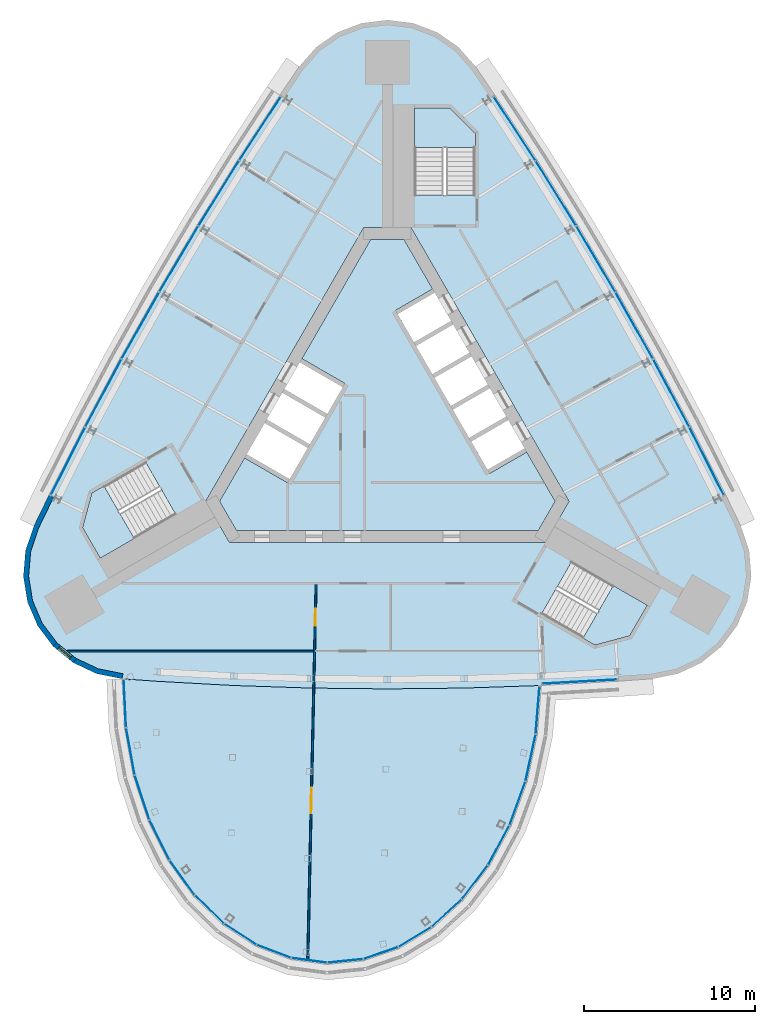
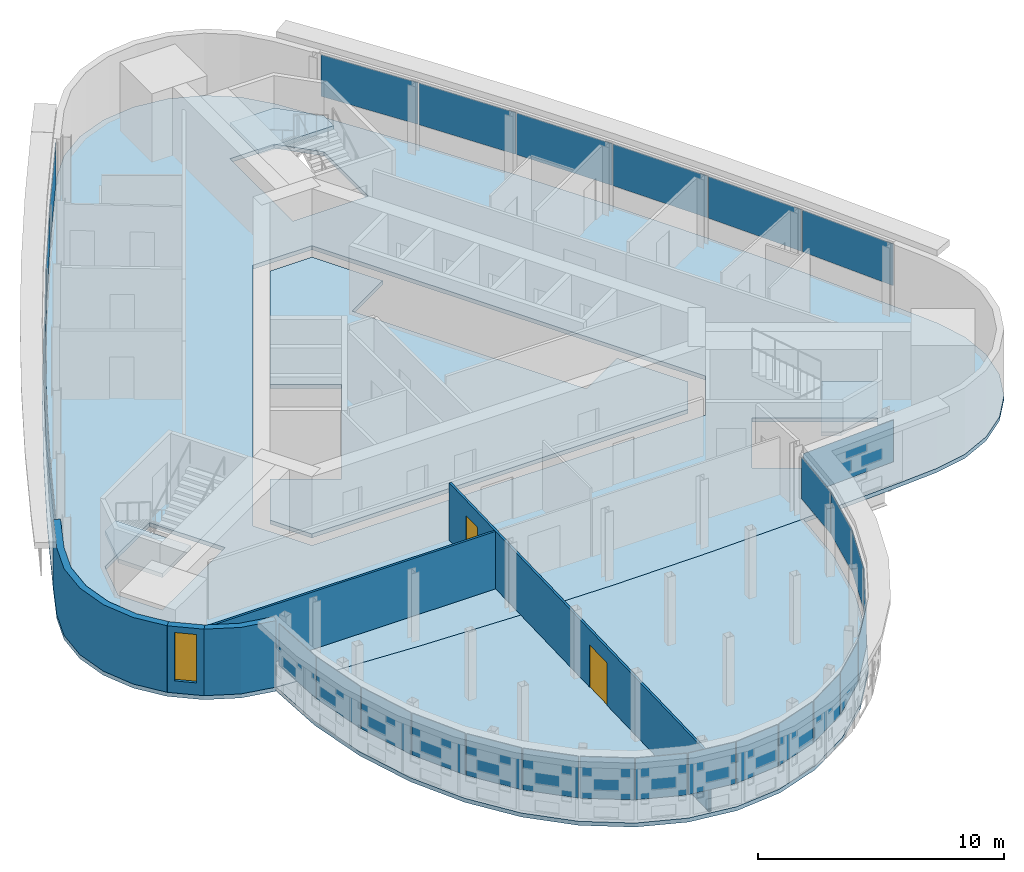
# One storey, part 8 of 14: 31 plates, 6 slabs, 5 walls, 2 doors, 1 window, 3 openings, 7 elements without a shape of their own.
"""IFC4 building model written with IfcOpenShell, lengths in metres."""

from ifc_helpers import new_model, si_unit, direction, frame, frame_2d, origin, origin_2d, place, context, subcontext, project, spatial, polyline, rectangle, outline, extrude, material, layer, layer_set, type_object, element, fill, aggregate, save


model = new_model("IFC4")

# Units and contexts
model_context = context("Model", 3, precision=1e-05, world=origin(), true_north=direction((0.0, 1.0)))
body_context = subcontext(model_context, "Body", "Model", "MODEL_VIEW")
ifc_project = project(units=[si_unit("LENGTHUNIT", "METRE"), si_unit("AREAUNIT", "SQUARE_METRE"), si_unit("VOLUMEUNIT", "CUBIC_METRE"), si_unit("PLANEANGLEUNIT", "RADIAN"), si_unit("MASSUNIT", "GRAM", prefix="KILO")], contexts=[model_context])

# Site, building, storey
site_placement = place(None, origin())
site = spatial("IfcSite", under=ifc_project, at=site_placement, CompositionType="ELEMENT")
building_placement = place(site_placement, origin())
building = spatial("IfcBuilding", under=site, at=building_placement, Name="Noor Cloister Tower", CompositionType="ELEMENT")
storey_placement = place(building_placement, frame((0.0, 0.0, 214.800048828125)))
storey = spatial("IfcBuildingStorey", under=building, at=storey_placement, Name="L55", CompositionType="ELEMENT", Elevation=214.800048828125)

# Slabs
ifc_material_1 = material(Name="Concrete C40/50", Category="concrete")
ifc_layer_1 = layer(ifc_material_1, 0.199951171875)
ifc_layer_set_1 = layer_set([ifc_layer_1], Name="Core floor slab 200 C40/50")
slab_type_1 = type_object("IfcSlabType", Name="Core floor slab 200 C40/50", PredefinedType="FLOOR", material=ifc_layer_set_1)
slab_1_placement = place(storey_placement, frame((0.0, 0.0, -0.199951171875)))
element("IfcSlab", 1, at=slab_1_placement, inside=storey, type_object=slab_type_1, Name="Core floor L55", PredefinedType="FLOOR", context=body_context, shape_type="SweptSolid", body=[
    extrude(outline(polyline([(2.643798828125, 7.877197265625), (0.9814453125, 10.75634765625), (-0.9814453125, 10.75634765625), (-4.993896484375, 3.806884765625), (-2.482421875, 2.35693359375), (-5.832275390625, -3.4453125), (-8.34375, -1.995361328125), (-9.80615234375, -4.5283203125), (-8.82470703125, -6.228271484375), (8.82470703125, -6.228271484375), (9.80615234375, -4.5283203125), (8.143798828125, -1.64892578125), (5.978759765625, -2.89892578125), (0.478759765625, 6.627197265625), (2.643798828125, 7.877197265625)])), origin(), (0.0, 0.0, 1.0), 0.199951171875),
])
ifc_material_2 = material(Name="Concrete C40/50", Category="concrete")
ifc_layer_2 = layer(ifc_material_2, 0.199951171875)
ifc_layer_set_2 = layer_set([ifc_layer_2], Name="Floor slab 200 C40/50")
slab_type_2 = type_object("IfcSlabType", Name="Floor slab 200 C40/50", PredefinedType="FLOOR", material=ifc_layer_set_2)
slab_2_placement = place(storey_placement, frame((0.0, 0.0, -0.199951171875)))
element("IfcSlab", 2, at=slab_2_placement, inside=storey, type_object=slab_type_2, Name="Floor slab L55", PredefinedType="FLOOR", context=body_context, shape_type="SweptSolid", body=[
    extrude(outline(polyline([(5.148681640625, 20.87890625), (4.1513671875, 22.012939453125), (2.91064453125, 22.874267578125), (1.499267578125, 23.412109375), (0.0, 23.5947265625), (-1.499267578125, 23.412109375), (-2.91064453125, 22.874267578125), (-4.1513671875, 22.012939453125), (-5.148681640625, 20.87890625), (-6.2822265625, 19.2041015625), (-8.744140625, 15.437255859375), (-11.122314453125, 11.6171875), (-13.415283203125, 7.745361328125), (-15.621826171875, 3.823486328125), (-17.7412109375, -0.14599609375), (-19.772216796875, -4.16162109375), (-20.65576171875, -5.98046875), (-21.139404296875, -7.411376953125), (-21.264892578125, -8.91650390625), (-21.02490234375, -10.40771484375), (-20.433837890625, -11.79736328125), (-19.52587890625, -13.00439453125), (-18.354248046875, -13.957763671875), (-16.988037109375, -14.6015625), (-15.50732421875, -14.898193359375), (-13.489990234375, -15.04248046875), (-8.9970703125, -15.291259765625), (-4.49951171875, -15.440673828125), (0.0, -15.490478515625), (4.49951171875, -15.440673828125), (8.9970703125, -15.291259765625), (13.489990234375, -15.04248046875), (15.50732421875, -14.898193359375), (16.988037109375, -14.6015625), (18.354248046875, -13.957763671875), (19.52587890625, -13.00439453125), (20.433837890625, -11.79736328125), (21.02490234375, -10.40771484375), (21.264892578125, -8.91650390625), (21.139404296875, -7.411376953125), (20.65576171875, -5.98046875), (19.772216796875, -4.16162109375), (17.7412109375, -0.14599609375), (15.621826171875, 3.823486328125), (13.415283203125, 7.745361328125), (11.122314453125, 11.6171875), (8.744140625, 15.437255859375), (6.2822265625, 19.2041015625), (5.148681640625, 20.87890625)]), holes=[polyline([(8.999755859375, -11.126220703125), (12.131591796875, -12.934326171875), (14.1572265625, -12.3916015625), (15.19091796875, -10.601318359375), (10.774658203125, -8.0517578125), (8.999755859375, -11.126220703125)]), polyline([(-17.81005859375, -6.064697265625), (-16.776611328125, -7.85498046875), (-12.3603515625, -5.305419921875), (-14.13525390625, -2.23095703125), (-16.662841796875, -3.690185546875), (-17.267333984375, -4.039306640625), (-17.81005859375, -6.064697265625)]), polyline([(-10.6142578125, -4.5283203125), (-9.228759765625, -6.92822265625), (9.228759765625, -6.92822265625), (10.6142578125, -4.5283203125), (1.3857421875, 11.456298828125), (-1.3857421875, 11.456298828125), (-10.6142578125, -4.5283203125)]), polyline([(3.65283203125, 18.456298828125), (1.585693359375, 18.456298828125), (1.585693359375, 13.35693359375), (5.135498046875, 13.35693359375), (5.135498046875, 16.9736328125), (3.65283203125, 18.456298828125)])]), origin(), (0.0, 0.0, 1.0), 0.199951171875),
])

# Curtain wall, plates
ifc_material_3 = material(Name="Aluminium 6063-T6 anodised", Category="aluminium")
curtain_wall_type_1 = type_object("IfcCurtainWallType", Name="Ribbon curtain wall, upper tower CW5", PredefinedType="NOTDEFINED", material=ifc_material_3)
curtain_wall_1_placement = place(storey_placement, origin())
curtain_wall_1 = element("IfcCurtainWall", 3, at=curtain_wall_1_placement, inside=storey, type_object=curtain_wall_type_1, Name="CW5 L55 NW run 1", PredefinedType="NOTDEFINED")
ifc_material_4 = material(Name="Clear laminated glass 2 x 8 mm", Category="glass")
ifc_layer_3 = layer(ifc_material_4, 0.028076171875)
ifc_layer_set_3 = layer_set([ifc_layer_3], Name="Glass panel CW5")
plate_type_1 = type_object("IfcPlateType", Name="Glass panel CW5", PredefinedType="CURTAIN_PANEL", material=ifc_layer_set_3)
plate_1_placement = place(storey_placement, frame((-7.438720703125, 17.251708984375, 1.08984375), z_axis=(0.0, 0.0, 1.0), x_axis=(-0.547130585813, -0.837047263939, 0.0)))
plate_1 = element("IfcPlate", 4, at=plate_1_placement, type_object=plate_type_1, Name="CW5 glass panel 1", PredefinedType="CURTAIN_PANEL", context=body_context, shape_type="SweptSolid", body=[
    extrude(rectangle(XDim=4.413818359375, YDim=0.028076171875, at=origin_2d()), origin(), (0.0, 0.0, 1.0), 2.070068359375),
])
plate_2_placement = place(storey_placement, frame((-9.848388671875, 13.474365234375, 1.08984375), z_axis=(0.0, 0.0, 1.0), x_axis=(-0.528471347381, -0.848951138168, 0.0)))
plate_2 = element("IfcPlate", 5, at=plate_2_placement, type_object=plate_type_1, Name="CW5 glass panel 2", PredefinedType="CURTAIN_PANEL", context=body_context, shape_type="SweptSolid", body=[
    extrude(rectangle(XDim=4.44775390625, YDim=0.028076171875, at=origin_2d()), origin(), (0.0, 0.0, 1.0), 2.070068359375),
])
plate_3_placement = place(storey_placement, frame((-12.1826171875, 9.630126953125, 1.08984375), z_axis=(0.0, 0.0, 1.0), x_axis=(-0.509553242025, -0.860439128319, 0.0)))
plate_3 = element("IfcPlate", 6, at=plate_3_placement, type_object=plate_type_1, Name="CW5 glass panel 3", PredefinedType="CURTAIN_PANEL", context=body_context, shape_type="SweptSolid", body=[
    extrude(rectangle(XDim=4.44775390625, YDim=0.028076171875, at=origin_2d()), origin(), (0.0, 0.0, 1.0), 2.070068359375),
])
plate_4_placement = place(storey_placement, frame((-14.431396484375, 5.7353515625, 1.08984375), z_axis=(0.0, 0.0, 1.0), x_axis=(-0.490385522521, -0.871505616334, 0.0)))
plate_4 = element("IfcPlate", 7, at=plate_4_placement, type_object=plate_type_1, Name="CW5 glass panel 4", PredefinedType="CURTAIN_PANEL", context=body_context, shape_type="SweptSolid", body=[
    extrude(rectangle(XDim=4.44775390625, YDim=0.028076171875, at=origin_2d()), origin(), (0.0, 0.0, 1.0), 2.070068359375),
])
plate_5_placement = place(storey_placement, frame((-16.59326171875, 1.791748046875, 1.08984375), z_axis=(0.0, 0.0, 1.0), x_axis=(-0.470977578535, -0.882145181088, 0.0)))
plate_5 = element("IfcPlate", 8, at=plate_5_placement, type_object=plate_type_1, Name="CW5 glass panel 5", PredefinedType="CURTAIN_PANEL", context=body_context, shape_type="SweptSolid", body=[
    extrude(rectangle(XDim=4.44775390625, YDim=0.028076171875, at=origin_2d()), origin(), (0.0, 0.0, 1.0), 2.070068359375),
])
plate_6_placement = place(storey_placement, frame((-18.659912109375, -2.183837890625, 1.08984375), z_axis=(0.0, 0.0, 1.0), x_axis=(-0.451338901833, -0.892352618471, 0.0)))
plate_6 = element("IfcPlate", 9, at=plate_6_placement, type_object=plate_type_1, Name="CW5 glass panel 6", PredefinedType="CURTAIN_PANEL", context=body_context, shape_type="SweptSolid", body=[
    extrude(rectangle(XDim=4.413818359375, YDim=0.028076171875, at=origin_2d()), origin(), (0.0, 0.0, 1.0), 2.070068359375),
])
aggregate(curtain_wall_1, [plate_1, plate_2, plate_3, plate_4, plate_5, plate_6])

# Curtain wall, plate
curtain_wall_2_placement = place(storey_placement, origin())
curtain_wall_2 = element("IfcCurtainWall", 10, at=curtain_wall_2_placement, inside=storey, type_object=curtain_wall_type_1, Name="CW5 L55 S run 3", PredefinedType="NOTDEFINED")
plate_7_placement = place(storey_placement, frame((11.238037109375, -15.067138671875, 1.08984375), z_axis=(0.0, 0.0, 1.0), x_axis=(0.998469487646, 0.055305354532, 0.0)))
plate_7 = element("IfcPlate", 11, at=plate_7_placement, type_object=plate_type_1, Name="CW5 glass panel 1", PredefinedType="CURTAIN_PANEL", context=body_context, shape_type="SweptSolid", body=[
    extrude(rectangle(XDim=4.3798828125, YDim=0.028076171875, at=origin_2d()), origin(), (0.0, 0.0, 1.0), 2.070068359375),
])
aggregate(curtain_wall_2, [plate_7])

# Curtain wall, plates
curtain_wall_3_placement = place(storey_placement, origin())
curtain_wall_3 = element("IfcCurtainWall", 12, at=curtain_wall_3_placement, inside=storey, type_object=curtain_wall_type_1, Name="CW5 L55 NE run 4", PredefinedType="NOTDEFINED")
plate_8_placement = place(storey_placement, frame((18.659912109375, -2.183837890625, 1.08984375), z_axis=(0.0, 0.0, 1.0), x_axis=(-0.451338901833, 0.892352618471, 0.0)))
plate_8 = element("IfcPlate", 13, at=plate_8_placement, type_object=plate_type_1, Name="CW5 glass panel 1", PredefinedType="CURTAIN_PANEL", context=body_context, shape_type="SweptSolid", body=[
    extrude(rectangle(XDim=4.413818359375, YDim=0.028076171875, at=origin_2d()), origin(), (0.0, 0.0, 1.0), 2.070068359375),
])
plate_9_placement = place(storey_placement, frame((16.59326171875, 1.791748046875, 1.08984375), z_axis=(0.0, 0.0, 1.0), x_axis=(-0.470977578535, 0.882145181088, 0.0)))
plate_9 = element("IfcPlate", 14, at=plate_9_placement, type_object=plate_type_1, Name="CW5 glass panel 2", PredefinedType="CURTAIN_PANEL", context=body_context, shape_type="SweptSolid", body=[
    extrude(rectangle(XDim=4.44775390625, YDim=0.028076171875, at=origin_2d()), origin(), (0.0, 0.0, 1.0), 2.070068359375),
])
plate_10_placement = place(storey_placement, frame((14.431396484375, 5.7353515625, 1.08984375), z_axis=(0.0, 0.0, 1.0), x_axis=(-0.490385522521, 0.871505616334, 0.0)))
plate_10 = element("IfcPlate", 15, at=plate_10_placement, type_object=plate_type_1, Name="CW5 glass panel 3", PredefinedType="CURTAIN_PANEL", context=body_context, shape_type="SweptSolid", body=[
    extrude(rectangle(XDim=4.44775390625, YDim=0.028076171875, at=origin_2d()), origin(), (0.0, 0.0, 1.0), 2.070068359375),
])
plate_11_placement = place(storey_placement, frame((12.1826171875, 9.630126953125, 1.08984375), z_axis=(0.0, 0.0, 1.0), x_axis=(-0.509553242025, 0.860439128319, 0.0)))
plate_11 = element("IfcPlate", 16, at=plate_11_placement, type_object=plate_type_1, Name="CW5 glass panel 4", PredefinedType="CURTAIN_PANEL", context=body_context, shape_type="SweptSolid", body=[
    extrude(rectangle(XDim=4.44775390625, YDim=0.028076171875, at=origin_2d()), origin(), (0.0, 0.0, 1.0), 2.070068359375),
])
plate_12_placement = place(storey_placement, frame((9.848388671875, 13.474365234375, 1.08984375), z_axis=(0.0, 0.0, 1.0), x_axis=(-0.528471347381, 0.848951138168, 0.0)))
plate_12 = element("IfcPlate", 17, at=plate_12_placement, type_object=plate_type_1, Name="CW5 glass panel 5", PredefinedType="CURTAIN_PANEL", context=body_context, shape_type="SweptSolid", body=[
    extrude(rectangle(XDim=4.44775390625, YDim=0.028076171875, at=origin_2d()), origin(), (0.0, 0.0, 1.0), 2.070068359375),
])
plate_13_placement = place(storey_placement, frame((7.438720703125, 17.251708984375, 1.08984375), z_axis=(0.0, 0.0, 1.0), x_axis=(-0.547130585813, 0.837047263939, 0.0)))
plate_13 = element("IfcPlate", 18, at=plate_13_placement, type_object=plate_type_1, Name="CW5 glass panel 6", PredefinedType="CURTAIN_PANEL", context=body_context, shape_type="SweptSolid", body=[
    extrude(rectangle(XDim=4.413818359375, YDim=0.028076171875, at=origin_2d()), origin(), (0.0, 0.0, 1.0), 2.070068359375),
])
aggregate(curtain_wall_3, [plate_8, plate_9, plate_10, plate_11, plate_12, plate_13])

ifc_material_5 = material(Name="Aluminium 6063-T6 anodised", Category="aluminium")
curtain_wall_type_2 = type_object("IfcCurtainWallType", Name="Sky bar curtain wall, upper bars CW6", PredefinedType="NOTDEFINED", material=ifc_material_5)
curtain_wall_4_placement = place(storey_placement, origin())
curtain_wall_4 = element("IfcCurtainWall", 19, at=curtain_wall_4_placement, inside=storey, type_object=curtain_wall_type_2, Name="CW6 L55 S sky bar run 2", PredefinedType="NOTDEFINED")
ifc_material_6 = material(Name="Clear laminated glass 2 x 8 mm", Category="glass")
ifc_layer_4 = layer(ifc_material_6, 0.028076171875)
ifc_layer_set_4 = layer_set([ifc_layer_4], Name="Glass panel CW6")
plate_type_2 = type_object("IfcPlateType", Name="Glass panel CW6", PredefinedType="CURTAIN_PANEL", material=ifc_layer_set_4)
plate_14_placement = place(storey_placement, frame((-15.336669921875, -16.34130859375, 1.08984375), z_axis=(0.0, 0.0, 1.0), x_axis=(0.048822714606, -0.998807460194, 0.0)))
plate_14 = element("IfcPlate", 20, at=plate_14_placement, type_object=plate_type_2, Name="CW6 glass panel 1", PredefinedType="CURTAIN_PANEL", context=body_context, shape_type="SweptSolid", body=[
    extrude(rectangle(XDim=2.779541015625, YDim=0.028076171875, at=origin_2d()), origin(), (0.0, 0.0, 1.0), 2.070068359375),
])
plate_15_placement = place(storey_placement, frame((-15.0146484375, -19.141357421875, 1.08984375), z_axis=(0.0, 0.0, 1.0), x_axis=(0.17940983055, -0.983774421655, 0.0)))
plate_15 = element("IfcPlate", 21, at=plate_15_placement, type_object=plate_type_2, Name="CW6 glass panel 2", PredefinedType="CURTAIN_PANEL", context=body_context, shape_type="SweptSolid", body=[
    extrude(rectangle(XDim=2.76904296875, YDim=0.028076171875, at=origin_2d()), origin(), (0.0, 0.0, 1.0), 2.070068359375),
])
plate_16_placement = place(storey_placement, frame((-14.33349609375, -21.831787109375, 1.08984375), z_axis=(0.0, 0.0, 1.0), x_axis=(0.312038400658, -0.950069490361, 0.0)))
plate_16 = element("IfcPlate", 22, at=plate_16_placement, type_object=plate_type_2, Name="CW6 glass panel 3", PredefinedType="CURTAIN_PANEL", context=body_context, shape_type="SweptSolid", body=[
    extrude(rectangle(XDim=2.694091796875, YDim=0.028076171875, at=origin_2d()), origin(), (0.0, 0.0, 1.0), 2.070068359375),
])
plate_17_placement = place(storey_placement, frame((-13.315185546875, -24.316162109375, 1.08984375), z_axis=(0.0, 0.0, 1.0), x_axis=(0.447069484566, -0.894499231956, 0.0)))
plate_17 = element("IfcPlate", 23, at=plate_17_placement, type_object=plate_type_2, Name="CW6 glass panel 4", PredefinedType="CURTAIN_PANEL", context=body_context, shape_type="SweptSolid", body=[
    extrude(rectangle(XDim=2.590087890625, YDim=0.028076171875, at=origin_2d()), origin(), (0.0, 0.0, 1.0), 2.070068359375),
])
plate_18_placement = place(storey_placement, frame((-11.9912109375, -26.51904296875, 1.08984375), z_axis=(0.0, 0.0, 1.0), x_axis=(0.583263432712, -0.812283059076, 0.0)))
plate_18 = element("IfcPlate", 24, at=plate_18_placement, type_object=plate_type_2, Name="CW6 glass panel 5", PredefinedType="CURTAIN_PANEL", context=body_context, shape_type="SweptSolid", body=[
    extrude(rectangle(XDim=2.466064453125, YDim=0.028076171875, at=origin_2d()), origin(), (0.0, 0.0, 1.0), 2.070068359375),
])
plate_19_placement = place(storey_placement, frame((-10.40234375, -28.373291015625, 1.08984375), z_axis=(0.0, 0.0, 1.0), x_axis=(0.716495314317, -0.697591904025, 0.0)))
plate_19 = element("IfcPlate", 25, at=plate_19_placement, type_object=plate_type_2, Name="CW6 glass panel 6", PredefinedType="CURTAIN_PANEL", context=body_context, shape_type="SweptSolid", body=[
    extrude(rectangle(XDim=2.3359375, YDim=0.028076171875, at=origin_2d()), origin(), (0.0, 0.0, 1.0), 2.070068359375),
])
plate_20_placement = place(storey_placement, frame((-8.59814453125, -29.8232421875, 1.08984375), z_axis=(0.0, 0.0, 1.0), x_axis=(0.838255798572, -0.545277192041, 0.0)))
plate_20 = element("IfcPlate", 26, at=plate_20_placement, type_object=plate_type_2, Name="CW6 glass panel 7", PredefinedType="CURTAIN_PANEL", context=body_context, shape_type="SweptSolid", body=[
    extrude(rectangle(XDim=2.21484375, YDim=0.028076171875, at=origin_2d()), origin(), (0.0, 0.0, 1.0), 2.070068359375),
])
plate_21_placement = place(storey_placement, frame((-6.6337890625, -30.825439453125, 1.08984375), z_axis=(0.0, 0.0, 1.0), x_axis=(0.935082379451, -0.354430449651, 0.0)))
plate_21 = element("IfcPlate", 27, at=plate_21_placement, type_object=plate_type_2, Name="CW6 glass panel 8", PredefinedType="CURTAIN_PANEL", context=body_context, shape_type="SweptSolid", body=[
    extrude(rectangle(XDim=2.12060546875, YDim=0.028076171875, at=origin_2d()), origin(), (0.0, 0.0, 1.0), 2.070068359375),
])
plate_22_placement = place(storey_placement, frame((-4.568359375, -31.35107421875, 1.08984375), z_axis=(0.0, 0.0, 1.0), x_axis=(0.991127949821, -0.132911199993, 0.0)))
plate_22 = element("IfcPlate", 28, at=plate_22_placement, type_object=plate_type_2, Name="CW6 glass panel 9", PredefinedType="CURTAIN_PANEL", context=body_context, shape_type="SweptSolid", body=[
    extrude(rectangle(XDim=2.06884765625, YDim=0.028076171875, at=origin_2d()), origin(), (0.0, 0.0, 1.0), 2.070068359375),
])
plate_23_placement = place(storey_placement, frame((-2.4638671875, -31.385009765625, 1.08984375), z_axis=(0.0, 0.0, 1.0), x_axis=(0.994881086268, 0.101052581298, 0.0)))
plate_23 = element("IfcPlate", 29, at=plate_23_placement, type_object=plate_type_2, Name="CW6 glass panel 10", PredefinedType="CURTAIN_PANEL", context=body_context, shape_type="SweptSolid", body=[
    extrude(rectangle(XDim=2.06884765625, YDim=0.028076171875, at=origin_2d()), origin(), (0.0, 0.0, 1.0), 2.070068359375),
])
plate_24_placement = place(storey_placement, frame((-0.3828125, -30.92578125, 1.08984375), z_axis=(0.0, 0.0, 1.0), x_axis=(0.945969538875, 0.324255503454, 0.0)))
plate_24 = element("IfcPlate", 30, at=plate_24_placement, type_object=plate_type_2, Name="CW6 glass panel 11", PredefinedType="CURTAIN_PANEL", context=body_context, shape_type="SweptSolid", body=[
    extrude(rectangle(XDim=2.12060546875, YDim=0.028076171875, at=origin_2d()), origin(), (0.0, 0.0, 1.0), 2.070068359375),
])
plate_25_placement = place(storey_placement, frame((1.61279296875, -29.987060546875, 1.08984375), z_axis=(0.0, 0.0, 1.0), x_axis=(0.855314149402, 0.518109743039, 0.0)))
plate_25 = element("IfcPlate", 31, at=plate_25_placement, type_object=plate_type_2, Name="CW6 glass panel 12", PredefinedType="CURTAIN_PANEL", context=body_context, shape_type="SweptSolid", body=[
    extrude(rectangle(XDim=2.21484375, YDim=0.028076171875, at=origin_2d()), origin(), (0.0, 0.0, 1.0), 2.070068359375),
])
plate_26_placement = place(storey_placement, frame((3.462646484375, -28.595703125, 1.08984375), z_axis=(0.0, 0.0, 1.0), x_axis=(0.738501778547, 0.674251528054, 0.0)))
plate_26 = element("IfcPlate", 32, at=plate_26_placement, type_object=plate_type_2, Name="CW6 glass panel 13", PredefinedType="CURTAIN_PANEL", context=body_context, shape_type="SweptSolid", body=[
    extrude(rectangle(XDim=2.3359375, YDim=0.028076171875, at=origin_2d()), origin(), (0.0, 0.0, 1.0), 2.070068359375),
])
plate_27_placement = place(storey_placement, frame((5.110107421875, -26.79345703125, 1.08984375), z_axis=(0.0, 0.0, 1.0), x_axis=(0.609017158435, 0.793157046701, 0.0)))
plate_27 = element("IfcPlate", 33, at=plate_27_placement, type_object=plate_type_2, Name="CW6 glass panel 14", PredefinedType="CURTAIN_PANEL", context=body_context, shape_type="SweptSolid", body=[
    extrude(rectangle(XDim=2.466064453125, YDim=0.028076171875, at=origin_2d()), origin(), (0.0, 0.0, 1.0), 2.070068359375),
])
plate_28_placement = place(storey_placement, frame((6.504150390625, -24.634033203125, 1.08984375), z_axis=(0.0, 0.0, 1.0), x_axis=(0.475530339564, 0.879699321447, 0.0)))
plate_28 = element("IfcPlate", 34, at=plate_28_placement, type_object=plate_type_2, Name="CW6 glass panel 15", PredefinedType="CURTAIN_PANEL", context=body_context, shape_type="SweptSolid", body=[
    extrude(rectangle(XDim=2.590087890625, YDim=0.028076171875, at=origin_2d()), origin(), (0.0, 0.0, 1.0), 2.070068359375),
])
plate_29_placement = place(storey_placement, frame((7.6015625, -22.18359375, 1.08984375), z_axis=(0.0, 0.0, 1.0), x_axis=(0.342351138036, 0.939572082538, 0.0)))
plate_29 = element("IfcPlate", 35, at=plate_29_placement, type_object=plate_type_2, Name="CW6 glass panel 16", PredefinedType="CURTAIN_PANEL", context=body_context, shape_type="SweptSolid", body=[
    extrude(rectangle(XDim=2.694091796875, YDim=0.028076171875, at=origin_2d()), origin(), (0.0, 0.0, 1.0), 2.070068359375),
])
plate_30_placement = place(storey_placement, frame((8.36865234375, -19.516357421875, 1.08984375), z_axis=(0.0, 0.0, 1.0), x_axis=(0.210871888122, 0.977513706707, 0.0)))
plate_30 = element("IfcPlate", 36, at=plate_30_placement, type_object=plate_type_2, Name="CW6 glass panel 17", PredefinedType="CURTAIN_PANEL", context=body_context, shape_type="SweptSolid", body=[
    extrude(rectangle(XDim=2.76904296875, YDim=0.028076171875, at=origin_2d()), origin(), (0.0, 0.0, 1.0), 2.070068359375),
])
plate_31_placement = place(storey_placement, frame((8.7802734375, -16.728271484375, 1.08984375), z_axis=(0.0, 0.0, 1.0), x_axis=(0.080834144736, 0.996727566111, 0.0)))
plate_31 = element("IfcPlate", 37, at=plate_31_placement, type_object=plate_type_2, Name="CW6 glass panel 18", PredefinedType="CURTAIN_PANEL", context=body_context, shape_type="SweptSolid", body=[
    extrude(rectangle(XDim=2.779541015625, YDim=0.028076171875, at=origin_2d()), origin(), (0.0, 0.0, 1.0), 2.070068359375),
])
aggregate(curtain_wall_4, [plate_14, plate_15, plate_16, plate_17, plate_18, plate_19, plate_20, plate_21, plate_22, plate_23, plate_24, plate_25, plate_26, plate_27, plate_28, plate_29, plate_30, plate_31])

# Slab
ifc_material_7 = material(Name="Concrete C40/50", Category="concrete")
ifc_layer_5 = layer(ifc_material_7, 0.199951171875)
ifc_layer_set_5 = layer_set([ifc_layer_5], Name="Pod floor slab 200")
slab_type_3 = type_object("IfcSlabType", Name="Pod floor slab 200", PredefinedType="FLOOR", material=ifc_layer_set_5)
slab_3_placement = place(storey_placement, frame((0.0, 0.0, -0.199951171875)))
element("IfcSlab", 38, at=slab_3_placement, inside=storey, type_object=slab_type_3, Name="Pod floor slab L55", PredefinedType="FLOOR", context=body_context, shape_type="SweptSolid", body=[
    extrude(outline(polyline([(-15.50732421875, -14.898193359375), (-15.366943359375, -17.76611328125), (-14.85888671875, -20.552734375), (-13.998046875, -23.173583984375), (-12.810791015625, -25.548828125), (-11.333251953125, -27.6064453125), (-9.6103515625, -29.2841796875), (-7.6943359375, -30.530517578125), (-5.643310546875, -31.307861328125), (-3.519775390625, -31.5927734375), (-1.38818359375, -31.376220703125), (0.686767578125, -30.6650390625), (2.641845703125, -29.480712890625), (4.417724609375, -27.859130859375), (5.96044921875, -25.85009765625), (7.22314453125, -23.513916015625), (8.167724609375, -20.922119140625), (8.764892578125, -18.153076171875), (8.9970703125, -15.291259765625), (4.49951171875, -15.440673828125), (0.0, -15.490478515625), (-4.49951171875, -15.440673828125), (-8.9970703125, -15.291259765625), (-13.489990234375, -15.04248046875), (-15.50732421875, -14.898193359375)])), origin(), (0.0, 0.0, 1.0), 0.199951171875),
])

# Stair, slab
ifc_material_8 = material(Name="Concrete C40/50", Category="concrete")
stair_type = type_object("IfcStairType", Name="Exit stair 22 risers", PredefinedType="HALF_TURN_STAIR", material=ifc_material_8)
stair_1_placement = place(storey_placement, origin())
stair_1 = element("IfcStair", 39, at=stair_1_placement, inside=storey, type_object=stair_type, Name="Exit stair ST1 L55", PredefinedType="HALF_TURN_STAIR")
ifc_material_9 = material(Name="Concrete C40/50", Category="concrete")
ifc_layer_6 = layer(ifc_material_9, 0.199951171875)
ifc_layer_set_6 = layer_set([ifc_layer_6], Name="Stair landing 200 C40/50")
slab_type_4 = type_object("IfcSlabType", Name="Stair landing 200 C40/50", PredefinedType="LANDING", material=ifc_layer_set_6)
slab_4_placement = place(storey_placement, frame((0.0, 0.0, 1.599853515625)))
slab_4 = element("IfcSlab", 40, at=slab_4_placement, type_object=slab_type_4, Name="ST1 landing 1", PredefinedType="LANDING", context=body_context, shape_type="SweptSolid", body=[
    extrude(outline(polyline([(5.135498046875, 16.15576171875), (5.135498046875, 16.9736328125), (3.65283203125, 18.456298828125), (1.585693359375, 18.456298828125), (1.585693359375, 16.15576171875), (5.135498046875, 16.15576171875)])), origin(), (0.0, 0.0, 1.0), 0.2001953125),
])
aggregate(stair_1, [slab_4])

stair_2_placement = place(storey_placement, origin())
stair_2 = element("IfcStair", 41, at=stair_2_placement, inside=storey, type_object=stair_type, Name="Exit stair ST2 L55", PredefinedType="HALF_TURN_STAIR")
slab_5_placement = place(storey_placement, frame((0.0, 0.0, 1.599853515625)))
slab_5 = element("IfcSlab", 42, at=slab_5_placement, type_object=slab_type_4, Name="ST2 landing 1", PredefinedType="LANDING", context=body_context, shape_type="SweptSolid", body=[
    extrude(outline(polyline([(-16.55908203125, -3.63037109375), (-17.267333984375, -4.039306640625), (-17.81005859375, -6.064697265625), (-16.776611328125, -7.85498046875), (-14.7841796875, -6.70458984375), (-16.55908203125, -3.63037109375)])), origin(), (0.0, 0.0, 1.0), 0.2001953125),
])
aggregate(stair_2, [slab_5])

stair_3_placement = place(storey_placement, origin())
stair_3 = element("IfcStair", 43, at=stair_3_placement, inside=storey, type_object=stair_type, Name="Exit stair ST3 L55", PredefinedType="HALF_TURN_STAIR")
slab_6_placement = place(storey_placement, frame((0.0, 0.0, 1.599853515625)))
slab_6 = element("IfcSlab", 44, at=slab_6_placement, type_object=slab_type_4, Name="ST3 landing 1", PredefinedType="LANDING", context=body_context, shape_type="SweptSolid", body=[
    extrude(outline(polyline([(11.423583984375, -12.525390625), (12.131591796875, -12.934326171875), (14.1572265625, -12.3916015625), (15.19091796875, -10.601318359375), (13.198486328125, -9.451171875), (11.423583984375, -12.525390625)])), origin(), (0.0, 0.0, 1.0), 0.2001953125),
])
aggregate(stair_3, [slab_6])

# Wall
ifc_material_10 = material(Name="Limestone", Category="masonry")
ifc_layer_7 = layer(ifc_material_10, 0.300048828125)
ifc_layer_set_7 = layer_set([ifc_layer_7], Name="Limestone cladding 300")
wall_type_1 = type_object("IfcWallType", Name="Limestone cladding 300", PredefinedType="NOTDEFINED", material=ifc_layer_set_7)
wall_1_placement = place(storey_placement, origin())
element("IfcWall", 45, at=wall_1_placement, inside=storey, type_object=wall_type_1, Name="Limestone pier cladding L55 1.1", PredefinedType="NOTDEFINED", context=body_context, shape_type="SweptSolid", body=[
    extrude(outline(polyline([(-19.772216796875, -4.16162109375), (-20.65576171875, -5.98046875), (-21.139404296875, -7.411376953125), (-21.264892578125, -8.91650390625), (-21.02490234375, -10.40771484375), (-20.433837890625, -11.79736328125), (-19.52587890625, -13.00439453125), (-19.2861328125, -12.823974609375), (-20.171875, -11.646240234375), (-20.734619140625, -10.323974609375), (-20.962890625, -8.905029296875), (-20.843505859375, -7.47265625), (-20.377685546875, -6.094482421875), (-19.50244140625, -4.292724609375), (-19.772216796875, -4.16162109375)])), origin(), (0.0, 0.0, 1.0), 3.300048828125),
])

# Wall, opening, window
wall_2_placement = place(storey_placement, frame((-18.26123046875, -13.840087890625, 0.0), z_axis=(0.0, 0.0, 1.0), x_axis=(-0.775543549468, 0.631294070048, 0.0)))
wall_2 = element("IfcWall", 46, at=wall_2_placement, inside=storey, type_object=wall_type_1, Name="Limestone pier wall L55 1.2", PredefinedType="NOTDEFINED", context=body_context, shape_type="SweptSolid", body=[
    extrude(rectangle(XDim=1.50634765625, YDim=0.300048828125, at=frame_2d((0.753173828125, 0.0))), origin(), (0.0, 0.0, 1.0), 3.300048828125),
])
opening_1_placement = place(wall_2_placement, frame((0.30322265625, 0.0, 0.60009765625)))
opening_1 = element("IfcOpeningElement", 47, at=opening_1_placement, cuts=wall_2, Name="Opening L55-C01", PredefinedType="OPENING", context=body_context, shape_type="SweptSolid", body=[
    extrude(rectangle(XDim=0.89990234375, YDim=2.39990234375, at=frame_2d((0.449951171875, 1.199951171875))), frame((0.0, 0.16015625, 0.0), z_axis=(0.0, -1.0, 0.0), x_axis=(1.0, 0.0, 0.0)), (0.0, 0.0, 1.0), 0.320068359375),
])
ifc_material_11 = material(Name="Aluminium 6063-T6 anodised", Category="aluminium")
window_type = type_object("IfcWindowType", Name="Corner lancet window 900 x 2400", PartitioningType="SINGLE_PANEL", PredefinedType="WINDOW", material=ifc_material_11)
window_placement = place(opening_1_placement, origin())
window = element("IfcWindow", 48, at=window_placement, inside=storey, type_object=window_type, Name="Corner window L55 1", OverallHeight=2.39990234375, OverallWidth=0.89990234375, PartitioningType="SINGLE_PANEL", PredefinedType="WINDOW", context=body_context, shape_type="SweptSolid", body=[
    extrude(rectangle(XDim=0.89990234375, YDim=2.39990234375, at=frame_2d((0.449951171875, 1.199951171875))), frame((0.0, 0.030029296875, 0.0), z_axis=(0.0, -1.0, 0.0), x_axis=(1.0, 0.0, 0.0)), (0.0, 0.0, 1.0), 0.06005859375),
])
fill(opening_1, window)

# Wall
wall_3_placement = place(storey_placement, origin())
element("IfcWall", 49, at=wall_3_placement, inside=storey, type_object=wall_type_1, Name="Limestone pier cladding L55 1.3", PredefinedType="NOTDEFINED", context=body_context, shape_type="SweptSolid", body=[
    extrude(outline(polyline([(-18.354248046875, -13.957763671875), (-16.988037109375, -14.6015625), (-15.50732421875, -14.898193359375), (-15.4482421875, -14.60400390625), (-16.893310546875, -14.314697265625), (-18.2265625, -13.686279296875), (-18.354248046875, -13.957763671875)])), origin(), (0.0, 0.0, 1.0), 3.300048828125),
])

# Wall, openings, doors
ifc_material_12 = material(Name="Gypsum board partition on steel studs, 100 mm", Category="steel")
ifc_layer_8 = layer(ifc_material_12, 0.10009765625)
ifc_layer_set_8 = layer_set([ifc_layer_8], Name="Partition 100")
wall_type_2 = type_object("IfcWallType", Name="Partition 100", PredefinedType="PARTITIONING", material=ifc_layer_set_8)
wall_4_placement = place(storey_placement, frame((-4.166015625, -9.4033203125, 0.0), z_axis=(0.0, 0.0, 1.0), x_axis=(-0.022131761569, -0.999755062568, 0.0)))
wall_4 = element("IfcWall", 50, at=wall_4_placement, inside=storey, type_object=wall_type_2, Name="Wall L55-W13", PredefinedType="PARTITIONING", context=body_context, shape_type="SweptSolid", body=[
    extrude(rectangle(XDim=21.9521484375, YDim=0.10009765625, at=frame_2d((10.97607421875, 0.0))), origin(), (0.0, 0.0, 1.0), 2.846923828125),
])
opening_2_placement = place(wall_4_placement, frame((1.402587890625, 0.0, 0.0)))
opening_2 = element("IfcOpeningElement", 51, at=opening_2_placement, cuts=wall_4, Name="Opening L55-008", PredefinedType="OPENING", context=body_context, shape_type="SweptSolid", body=[
    extrude(rectangle(XDim=1.0, YDim=2.10009765625, at=frame_2d((0.5, 1.050048828125))), frame((0.0, 0.06005859375, 0.0), z_axis=(0.0, -1.0, 0.0), x_axis=(1.0, 0.0, 0.0)), (0.0, 0.0, 1.0), 0.1201171875),
])
opening_3_placement = place(wall_4_placement, frame((11.859375, 0.0, 0.0)))
opening_3 = element("IfcOpeningElement", 52, at=opening_3_placement, cuts=wall_4, Name="Opening L55-009", PredefinedType="OPENING", context=body_context, shape_type="SweptSolid", body=[
    extrude(rectangle(XDim=1.5, YDim=2.10009765625, at=frame_2d((0.75, 1.050048828125))), frame((0.0, 0.06005859375, 0.0), z_axis=(0.0, -1.0, 0.0), x_axis=(1.0, 0.0, 0.0)), (0.0, 0.0, 1.0), 0.1201171875),
])
ifc_material_13 = material(Name="Timber door leaf with steel frame", Category="steel")
door_type_1 = type_object("IfcDoorType", Name="Double door 1500", OperationType="NOTDEFINED", PredefinedType="DOOR", material=ifc_material_13)
door_1_placement = place(opening_3_placement, origin())
door_1 = element("IfcDoor", 53, at=door_1_placement, inside=storey, type_object=door_type_1, Name="Door L55-009", OperationType="DOUBLE_DOOR_SINGLE_SWING", OverallHeight=2.10009765625, OverallWidth=1.5, PredefinedType="DOOR", context=body_context, shape_type="SweptSolid", body=[
    extrude(rectangle(XDim=1.5, YDim=2.10009765625, at=frame_2d((0.75, 1.050048828125))), frame((0.0, 0.02490234375, 0.0), z_axis=(0.0, -1.0, 0.0), x_axis=(1.0, 0.0, 0.0)), (0.0, 0.0, 1.0), 0.050048828125),
])
fill(opening_3, door_1)
ifc_material_14 = material(Name="Timber door leaf with steel frame", Category="steel")
door_type_2 = type_object("IfcDoorType", Name="Interior door 1000", OperationType="NOTDEFINED", PredefinedType="DOOR", material=ifc_material_14)
door_2_placement = place(opening_2_placement, origin())
door_2 = element("IfcDoor", 54, at=door_2_placement, inside=storey, type_object=door_type_2, Name="Door L55-008", OperationType="SINGLE_SWING_RIGHT", OverallHeight=2.10009765625, OverallWidth=1.0, PredefinedType="DOOR", context=body_context, shape_type="SweptSolid", body=[
    extrude(rectangle(XDim=1.0, YDim=2.10009765625, at=frame_2d((0.5, 1.050048828125))), frame((0.0, 0.02490234375, 0.0), z_axis=(0.0, -1.0, 0.0), x_axis=(1.0, 0.0, 0.0)), (0.0, 0.0, 1.0), 0.050048828125),
])
fill(opening_2, door_2)

# Wall
wall_5_placement = place(storey_placement, frame((-18.708740234375, -13.282470703125, 0.0), z_axis=(0.0, 0.0, 1.0), x_axis=(1.0, 0.0, 0.0)))
element("IfcWall", 55, at=wall_5_placement, inside=storey, type_object=wall_type_2, Name="Wall L55-W15", PredefinedType="PARTITIONING", context=body_context, shape_type="SweptSolid", body=[
    extrude(rectangle(XDim=14.406982421875, YDim=0.10009765625, at=frame_2d((7.20361328125, 0.0))), origin(), (0.0, 0.0, 1.0), 2.85205078125),
])

save(model, "model.ifc")
